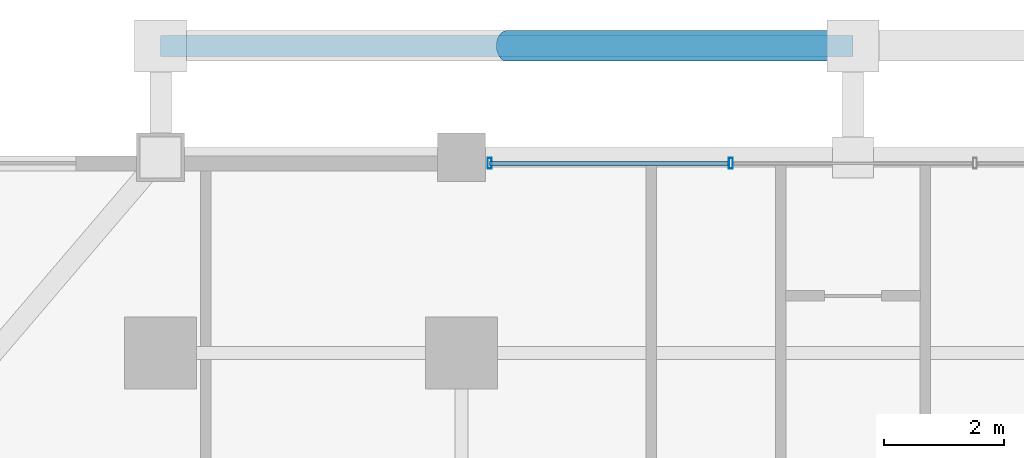
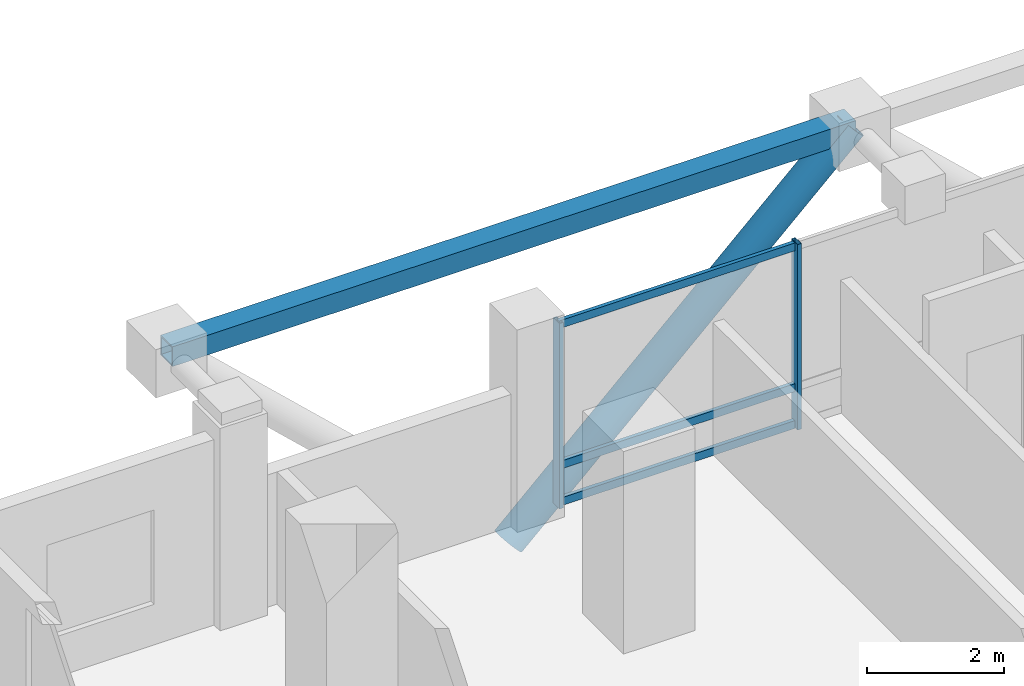
# One storey, part 14 of 25: 7 members, 1 element without a shape of its own.
"""IFC4 building model written with IfcOpenShell, lengths in metres."""

from ifc_helpers import new_model, si_unit, direction, frame, origin, origin_2d, place, context, subcontext, project, spatial, hollow_rectangle, hollow_circle, extrude, material, layer, layer_set, material_profile, profile_set, type_object, element, aggregate, save


model = new_model("IFC4")

# Units and contexts
model_context = context("Model", 3, precision=1e-05, world=origin(), true_north=direction((0.0, 1.0)))
body_context = subcontext(model_context, "Body", "Model", "MODEL_VIEW")
ifc_project = project(units=[si_unit("LENGTHUNIT", "METRE"), si_unit("AREAUNIT", "SQUARE_METRE"), si_unit("VOLUMEUNIT", "CUBIC_METRE"), si_unit("PLANEANGLEUNIT", "RADIAN"), si_unit("MASSUNIT", "GRAM", prefix="KILO")], contexts=[model_context])

# Site, building, storey
site_placement = place(None, origin())
site = spatial("IfcSite", under=ifc_project, at=site_placement, CompositionType="ELEMENT")
building_placement = place(site_placement, origin())
building = spatial("IfcBuilding", under=site, at=building_placement, Name="Barlavira Tower and Art Museum", CompositionType="ELEMENT")
storey_placement = place(building_placement, frame((0.0, 0.0, 162.0)))
storey = spatial("IfcBuildingStorey", under=building, at=storey_placement, Name="L41", CompositionType="ELEMENT", Elevation=162.0)

# Curtain wall, members
ifc_material_1 = material(Name="Low-iron coastal laminated glass", Category="glass")
ifc_layer = layer(ifc_material_1, 0.18994140625, Name="Low-iron coastal laminated glass")
ifc_layer_set = layer_set([ifc_layer], Name="Low-iron coastal laminated glass")
curtain_wall_type = type_object("IfcCurtainWallType", Name="Pale-Metal Unitised Curtain Wall Zone 2", PredefinedType="NOTDEFINED", material=ifc_layer_set)
curtain_wall_placement = place(storey_placement, origin())
curtain_wall = element("IfcCurtainWall", 1, at=curtain_wall_placement, inside=storey, type_object=curtain_wall_type, Name="L41 Curtain Wall CW2-L41-N-B3", PredefinedType="NOTDEFINED")
ifc_material_2 = material(Name="Pale anodised aluminium", Category="aluminium")
ifc_material_profile_1 = material_profile(ifc_material_2, hollow_rectangle(XDim=0.06494140625, YDim=0.179931640625, WallThickness=0.00390625, at=origin_2d()), Name="ALU-MULL 65x180x4")
ifc_profile_set_1 = profile_set([ifc_material_profile_1], Name="Pale anodised aluminium")
member_type_1 = type_object("IfcMemberType", Name="Curtain Wall Pale-Metal Mullion 65x180", PredefinedType="MULLION", material=ifc_profile_set_1)
member_1_placement = place(storey_placement, frame((-2.026611328125, 23.14990234375, 0.0), z_axis=(0.0, 0.0, 1.0), x_axis=(-1.0, 0.0, 0.0)))
member_1 = element("IfcMember", 2, at=member_1_placement, type_object=member_type_1, Name="CW2-L41-N-B3 Mullion 2", PredefinedType="MULLION", context=body_context, shape_type="SweptSolid", body=[
    extrude(hollow_rectangle(XDim=0.06494140625, YDim=0.179931640625, WallThickness=0.00390625, at=origin_2d()), origin(), (0.0, 0.0, 1.0), 3.300048828125),
])
member_2_placement = place(storey_placement, frame((-6.034912109375, 23.14990234375, 0.0), z_axis=(0.0, 0.0, 1.0), x_axis=(-1.0, 0.0, 0.0)))
member_2 = element("IfcMember", 3, at=member_2_placement, type_object=member_type_1, Name="CW2-L41-N-B3 Mullion 3", PredefinedType="MULLION", context=body_context, shape_type="SweptSolid", body=[
    extrude(hollow_rectangle(XDim=0.06494140625, YDim=0.179931640625, WallThickness=0.00390625, at=origin_2d()), origin(), (0.0, 0.0, 1.0), 3.300048828125),
])
ifc_material_profile_2 = material_profile(ifc_material_2, hollow_rectangle(XDim=0.06494140625, YDim=0.139892578125, WallThickness=0.00390625, at=origin_2d()), Name="ALU-TRAN 65x140x4")
ifc_profile_set_2 = profile_set([ifc_material_profile_2], Name="Pale anodised aluminium")
member_type_2 = type_object("IfcMemberType", Name="Curtain Wall Pale-Metal Transom 65x140", PredefinedType="USERDEFINED", material=ifc_profile_set_2)
member_3_placement = place(storey_placement, frame((-2.07177734375, 23.14990234375, 0.070068359375), z_axis=(-1.0, 0.0, 0.0), x_axis=(0.0, -1.0, 0.0)))
member_3 = element("IfcMember", 4, at=member_3_placement, type_object=member_type_2, Name="CW2-L41-N-B3 Transom 2.1", ObjectType="TRANSOM", PredefinedType="USERDEFINED", context=body_context, shape_type="SweptSolid", body=[
    extrude(hollow_rectangle(XDim=0.06494140625, YDim=0.139892578125, WallThickness=0.00390625, at=origin_2d()), origin(), (0.0, 0.0, 1.0), 3.963134765625),
])
member_4_placement = place(storey_placement, frame((-2.07177734375, 23.14990234375, 0.72607421875), z_axis=(-1.0, 0.0, 0.0), x_axis=(0.0, -1.0, 0.0)))
member_4 = element("IfcMember", 5, at=member_4_placement, type_object=member_type_2, Name="CW2-L41-N-B3 Transom 2.2", ObjectType="TRANSOM", PredefinedType="USERDEFINED", context=body_context, shape_type="SweptSolid", body=[
    extrude(hollow_rectangle(XDim=0.06494140625, YDim=0.139892578125, WallThickness=0.00390625, at=origin_2d()), origin(), (0.0, 0.0, 1.0), 3.963134765625),
])
member_5_placement = place(storey_placement, frame((-2.07177734375, 23.14990234375, 3.22998046875), z_axis=(-1.0, 0.0, 0.0), x_axis=(0.0, -1.0, 0.0)))
member_5 = element("IfcMember", 6, at=member_5_placement, type_object=member_type_2, Name="CW2-L41-N-B3 Transom 2.3", ObjectType="TRANSOM", PredefinedType="USERDEFINED", context=body_context, shape_type="SweptSolid", body=[
    extrude(hollow_rectangle(XDim=0.06494140625, YDim=0.139892578125, WallThickness=0.00390625, at=origin_2d()), origin(), (0.0, 0.0, 1.0), 3.963134765625),
])
aggregate(curtain_wall, [member_1, member_2, member_3, member_4, member_5])

# Members
ifc_material_3 = material(Name="Steel S355", Category="steel")
ifc_material_profile_3 = material_profile(ifc_material_3, hollow_circle(Radius=0.25390625, WallThickness=0.022216796875, at=origin_2d()), Name="CHS 508.0x22.2")
ifc_profile_set_3 = profile_set([ifc_material_profile_3], Name="Steel S355")
member_type_3 = type_object("IfcMemberType", Name="Pale-Metal Exoskeleton Diagrid Tube CHS 508x22 Steel S355", PredefinedType="BRACE", material=ifc_profile_set_3)
member_6_placement = place(storey_placement, frame((-5.75, 25.10009765625, -1.919921875), z_axis=(0.728950095515, 0.0, 0.684566839869), x_axis=(0.0, 1.0, 0.0)))
element("IfcMember", 7, at=member_6_placement, inside=storey, type_object=member_type_3, Name="L41 Exoskeleton Diagrid Tube N", PredefinedType="BRACE", context=body_context, shape_type="SweptSolid", body=[
    extrude(hollow_circle(Radius=0.25390625, WallThickness=0.022216796875, at=origin_2d()), origin(), (0.0, 0.0, 1.0), 7.887939453125),
])
ifc_material_profile_4 = material_profile(ifc_material_3, hollow_rectangle(XDim=0.35009765625, YDim=0.35009765625, WallThickness=0.02001953125, at=origin_2d()), Name="SHS 350x350x20.0")
ifc_profile_set_4 = profile_set([ifc_material_profile_4], Name="Steel S355")
member_type_4 = type_object("IfcMemberType", Name="Pale-Metal Exoskeleton Ring Strut SHS 350x350x20 Steel S355", PredefinedType="STRUT", material=ifc_profile_set_4)
member_7_placement = place(storey_placement, frame((-11.5, 25.10009765625, 3.47998046875), z_axis=(1.0, 0.0, 0.0), x_axis=(0.0, 1.0, 0.0)))
element("IfcMember", 8, at=member_7_placement, inside=storey, type_object=member_type_4, Name="L41 Exoskeleton Top Ring Strut N", PredefinedType="STRUT", context=body_context, shape_type="SweptSolid", body=[
    extrude(hollow_rectangle(XDim=0.35009765625, YDim=0.35009765625, WallThickness=0.02001953125, at=origin_2d()), origin(), (0.0, 0.0, 1.0), 11.5),
])

save(model, "model.ifc")
